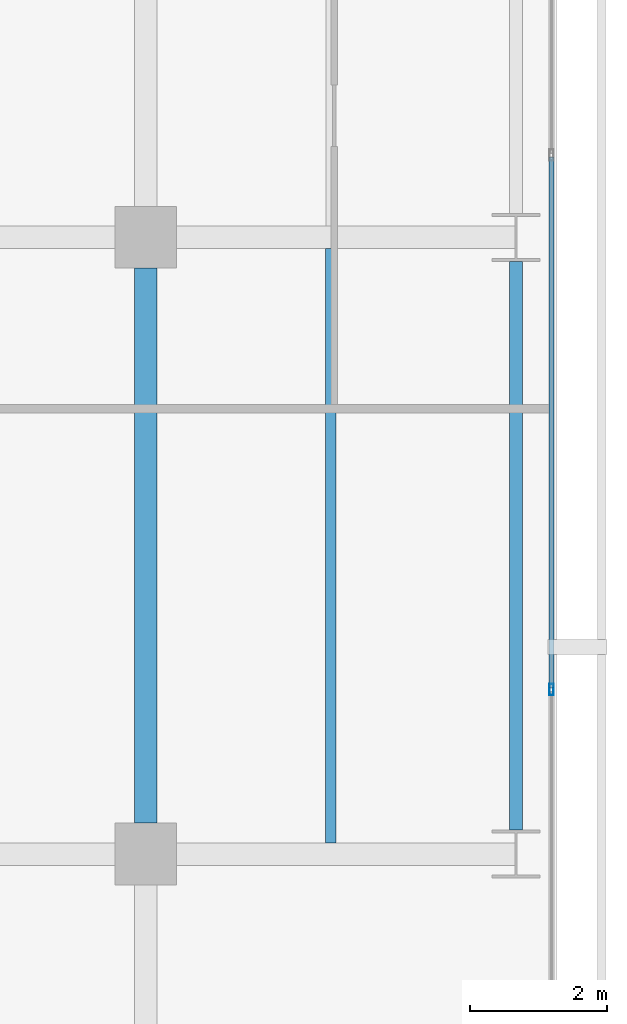
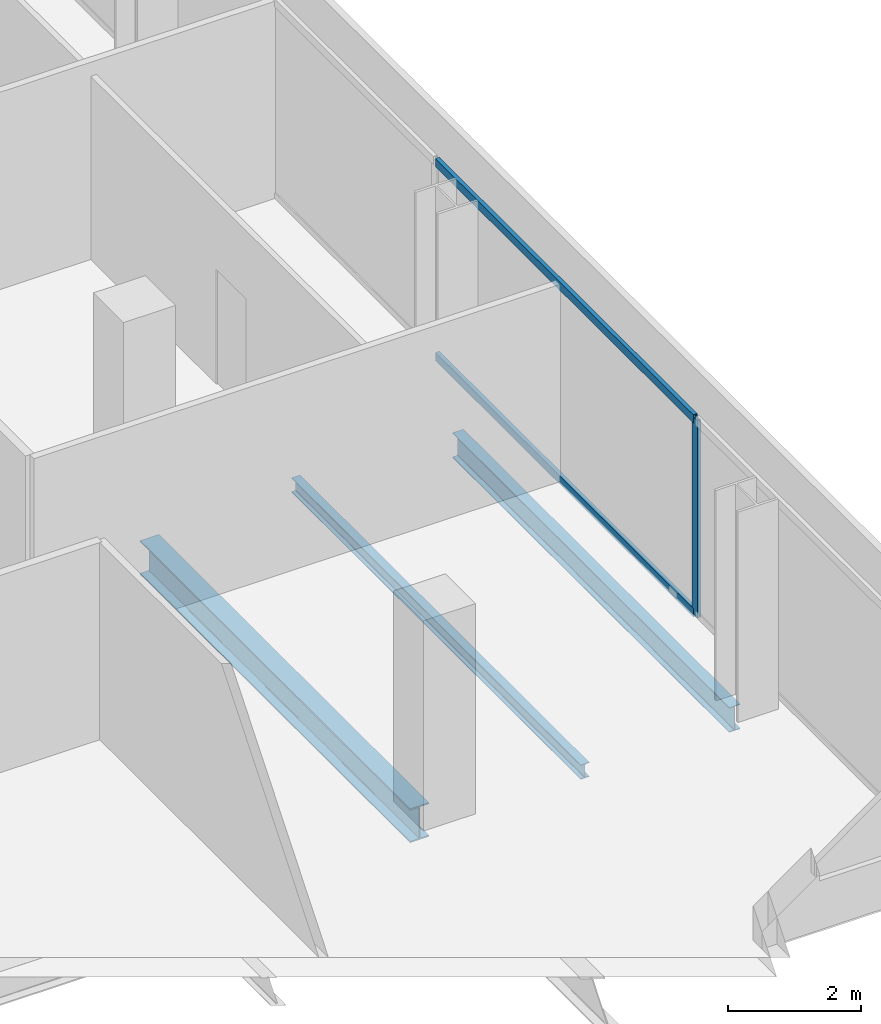
# One storey, part 17 of 39: 3 beams, 3 members, 1 element without a shape of its own.
"""IFC4 building model written with IfcOpenShell, lengths in metres."""

from ifc_helpers import new_model, si_unit, direction, frame, origin, origin_2d, place, context, subcontext, project, spatial, hollow_rectangle, i_section, extrude, material, layer, layer_set, material_profile, profile_set, type_object, element, aggregate, save


model = new_model("IFC4")

# Units and contexts
model_context = context("Model", 3, precision=1e-05, world=origin(), true_north=direction((0.0, 1.0)))
body_context = subcontext(model_context, "Body", "Model", "MODEL_VIEW")
ifc_project = project(units=[si_unit("LENGTHUNIT", "METRE"), si_unit("AREAUNIT", "SQUARE_METRE"), si_unit("VOLUMEUNIT", "CUBIC_METRE"), si_unit("PLANEANGLEUNIT", "RADIAN"), si_unit("MASSUNIT", "GRAM", prefix="KILO")], contexts=[model_context])

# Site, building, storey
site_placement = place(None, origin())
site = spatial("IfcSite", under=ifc_project, at=site_placement, CompositionType="ELEMENT")
building_placement = place(site_placement, origin())
building = spatial("IfcBuilding", under=site, at=building_placement, Name="Maruvema Waterfront Hotel and Observation Tower", CompositionType="ELEMENT")
storey_placement = place(building_placement, frame((0.0, 0.0, 65.449951171875)))
storey = spatial("IfcBuildingStorey", under=building, at=storey_placement, Name="L15", CompositionType="ELEMENT", Elevation=65.449951171875)

# Curtain wall, members
ifc_material_1 = material(Name="Anodised bronze aluminium and solar-control low-E IGU", Category="aluminium")
ifc_layer = layer(ifc_material_1, 0.159912109375, Name="Zone 1 Bronze Inner Thermal Curtain Wall System CW-02")
ifc_layer_set = layer_set([ifc_layer], Name="Anodised bronze aluminium and solar-control low-E IGU")
curtain_wall_type = type_object("IfcCurtainWallType", Name="Zone 1 Bronze Inner Thermal Curtain Wall System CW-02", PredefinedType="USERDEFINED", material=ifc_layer_set)
curtain_wall_placement = place(storey_placement, origin())
curtain_wall = element("IfcCurtainWall", 1, at=curtain_wall_placement, inside=storey, type_object=curtain_wall_type, Name="L15 Curtain Wall CW-L15-E", ObjectType="UNITISED CURTAIN WALL", PredefinedType="USERDEFINED")
ifc_material_2 = material(Name="Anodised architectural bronze aluminium", Category="aluminium")
ifc_material_profile_1 = material_profile(ifc_material_2, hollow_rectangle(XDim=0.070068359375, YDim=0.14990234375, WallThickness=0.00390625, at=origin_2d()), Name="ALU-T70x150")
ifc_profile_set_1 = profile_set([ifc_material_profile_1], Name="Anodised architectural bronze aluminium")
member_type_1 = type_object("IfcMemberType", Name="Curtain Wall Horizontal Transom ALU-T70x150", PredefinedType="USERDEFINED", material=ifc_profile_set_1)
member_1_placement = place(storey_placement, frame((64.719970703125, 11.429931640625, 0.030029296875), z_axis=(0.0, 1.0, 0.0), x_axis=(-1.0, 0.0, 0.0)))
member_1 = element("IfcMember", 2, at=member_1_placement, type_object=member_type_1, Name="CW-02 transom 2.1", ObjectType="TRANSOM", PredefinedType="USERDEFINED", context=body_context, shape_type="SweptSolid", body=[
    extrude(hollow_rectangle(XDim=0.070068359375, YDim=0.14990234375, WallThickness=0.00390625, at=origin_2d()), origin(), (0.0, 0.0, 1.0), 7.739990234375),
])
member_2_placement = place(storey_placement, frame((64.719970703125, 11.429931640625, 3.580078125), z_axis=(0.0, 1.0, 0.0), x_axis=(-1.0, 0.0, 0.0)))
member_2 = element("IfcMember", 3, at=member_2_placement, type_object=member_type_1, Name="CW-02 transom 2.2", ObjectType="TRANSOM", PredefinedType="USERDEFINED", context=body_context, shape_type="SweptSolid", body=[
    extrude(hollow_rectangle(XDim=0.070068359375, YDim=0.14990234375, WallThickness=0.00390625, at=origin_2d()), origin(), (0.0, 0.0, 1.0), 7.739990234375),
])
ifc_material_3 = material(Name="Anodised architectural bronze aluminium", Category="aluminium")
ifc_material_profile_2 = material_profile(ifc_material_3, hollow_rectangle(XDim=0.06494140625, YDim=0.1650390625, WallThickness=0.00390625, at=origin_2d()), Name="ALU-M65x165")
ifc_profile_set_2 = profile_set([ifc_material_profile_2], Name="Anodised architectural bronze aluminium")
member_type_2 = type_object("IfcMemberType", Name="Curtain Wall Primary Mullion ALU-M65x165", PredefinedType="MULLION", material=ifc_profile_set_2)
member_3_placement = place(storey_placement, frame((64.719970703125, 11.39990234375, 0.0), z_axis=(0.0, 0.0, 1.0), x_axis=(-1.0, 0.0, 0.0)))
member_3 = element("IfcMember", 4, at=member_3_placement, type_object=member_type_2, Name="CW-02 mullion 2", PredefinedType="MULLION", context=body_context, shape_type="SweptSolid", body=[
    extrude(hollow_rectangle(XDim=0.06494140625, YDim=0.1650390625, WallThickness=0.00390625, at=origin_2d()), origin(), (0.0, 0.0, 1.0), 3.610107421875),
])
aggregate(curtain_wall, [member_3, member_1, member_2])

# Beams
ifc_material_4 = material(Name="Steel ASTM A572 Grade 50", Category="steel")
ifc_material_profile_3 = material_profile(ifc_material_4, i_section(OverallWidth=0.18994140625, OverallDepth=0.45703125, WebThickness=0.009033203125, FlangeThickness=0.014404296875, FilletRadius=0.014892578125, at=origin_2d()), Name="W460x74.0")
ifc_profile_set_3 = profile_set([ifc_material_profile_3], Name="Steel ASTM A572 Grade 50")
beam_type_1 = type_object("IfcBeamType", Name="Perimeter Spandrel Beam W460x74.0", PredefinedType="SPANDREL", material=ifc_profile_set_3)
beam_1_placement = place(storey_placement, frame((64.199951171875, 9.35009765625, -0.468505859375), z_axis=(0.0, 1.0, 0.0), x_axis=(-1.0, 0.0, 0.0)))
element("IfcBeam", 5, at=beam_1_placement, inside=storey, type_object=beam_type_1, Name="L15 Floor Girder NS-33", PredefinedType="SPANDREL", context=body_context, shape_type="SweptSolid", body=[
    extrude(i_section(OverallWidth=0.18994140625, OverallDepth=0.45703125, WebThickness=0.009033203125, FlangeThickness=0.014404296875, FilletRadius=0.014892578125, at=origin_2d()), origin(), (0.0, 0.0, 1.0), 8.2998046875),
])
ifc_material_5 = material(Name="Steel ASTM A572 Grade 50", Category="steel")
ifc_material_profile_4 = material_profile(ifc_material_5, i_section(OverallWidth=0.326904296875, OverallDepth=0.6220703125, WebThickness=0.015380859375, FlangeThickness=0.0244140625, FilletRadius=0.01806640625, at=origin_2d()), Name="W610x195.0")
ifc_profile_set_4 = profile_set([ifc_material_profile_4], Name="Steel ASTM A572 Grade 50")
beam_type_2 = type_object("IfcBeamType", Name="Primary Floor Girder W610x195.0", PredefinedType="BEAM", material=ifc_profile_set_4)
beam_2_placement = place(storey_placement, frame((58.800048828125, 9.449951171875, -0.551025390625), z_axis=(0.0, 1.0, 0.0), x_axis=(-1.0, 0.0, 0.0)))
element("IfcBeam", 6, at=beam_2_placement, inside=storey, type_object=beam_type_2, Name="L15 Floor Girder NS-28", PredefinedType="BEAM", context=body_context, shape_type="SweptSolid", body=[
    extrude(i_section(OverallWidth=0.326904296875, OverallDepth=0.6220703125, WebThickness=0.015380859375, FlangeThickness=0.0244140625, FilletRadius=0.01806640625, at=origin_2d()), origin(), (0.0, 0.0, 1.0), 8.10009765625),
])
ifc_material_6 = material(Name="Steel ASTM A572 Grade 50", Category="steel")
ifc_material_profile_5 = material_profile(ifc_material_6, i_section(OverallWidth=0.14794921875, OverallDepth=0.26611328125, WebThickness=0.007568359375, FlangeThickness=0.012939453125, FilletRadius=0.012939453125, at=origin_2d()), Name="W250x44.8")
ifc_profile_set_5 = profile_set([ifc_material_profile_5], Name="Steel ASTM A572 Grade 50")
beam_type_3 = type_object("IfcBeamType", Name="Secondary Floor Joist W250x44.8", PredefinedType="JOIST", material=ifc_profile_set_5)
beam_3_placement = place(storey_placement, frame((61.5, 9.16357421875, -0.373046875), z_axis=(0.0, 1.0, 0.0), x_axis=(-1.0, 0.0, 0.0)))
element("IfcBeam", 7, at=beam_3_placement, inside=storey, type_object=beam_type_3, Name="L15 Secondary Floor Joist JS-21", PredefinedType="JOIST", context=body_context, shape_type="SweptSolid", body=[
    extrude(i_section(OverallWidth=0.14794921875, OverallDepth=0.26611328125, WebThickness=0.007568359375, FlangeThickness=0.012939453125, FilletRadius=0.012939453125, at=origin_2d()), origin(), (0.0, 0.0, 1.0), 8.6728515625),
])

save(model, "model.ifc")
